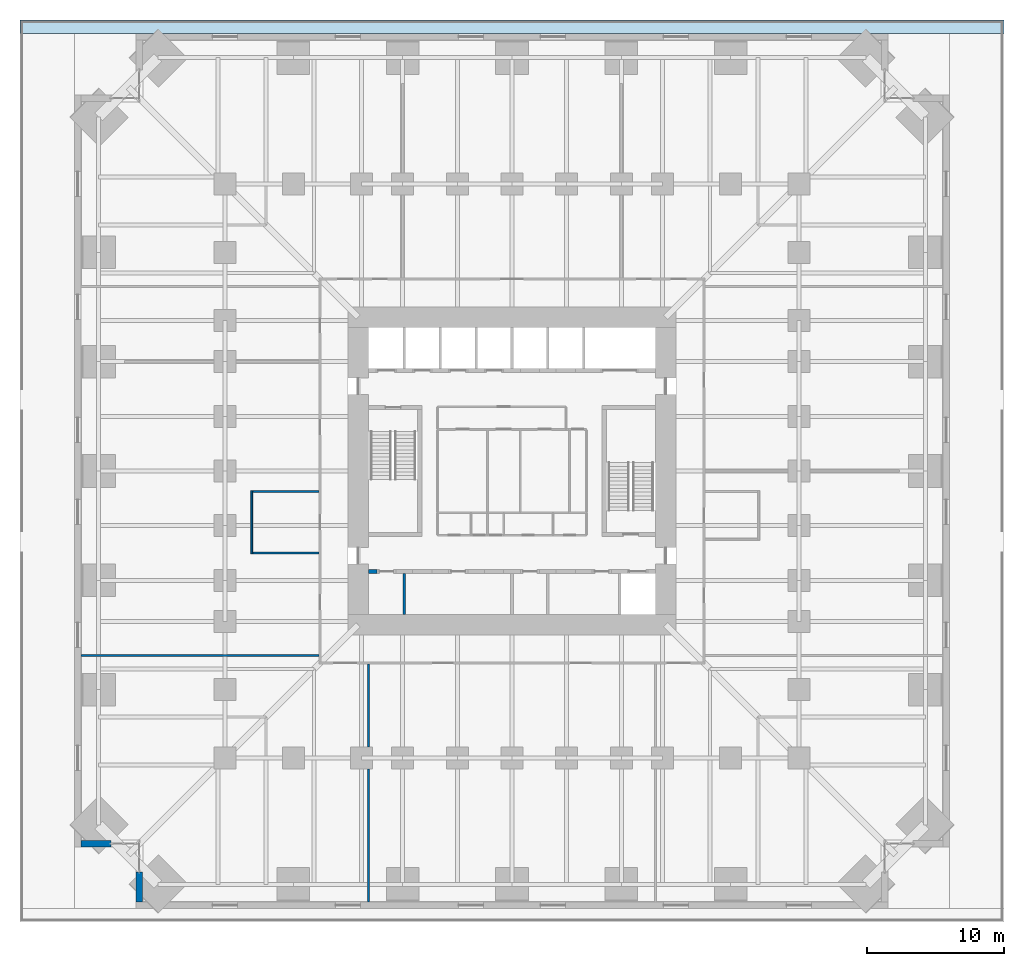
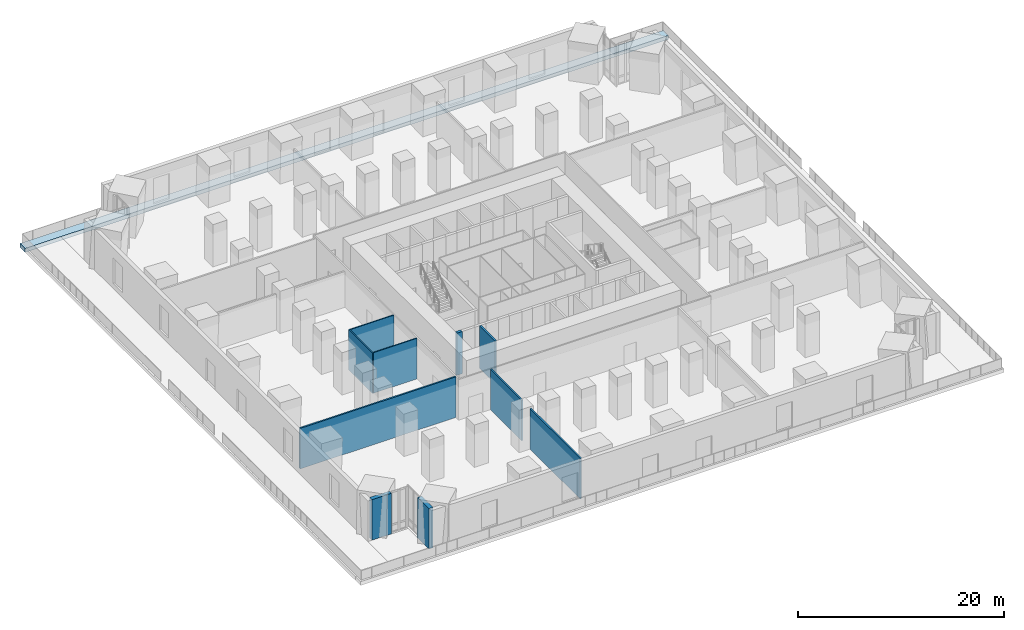
# One storey, part 19 of 26: 10 walls, 1 slab.
"""IFC4 building model written with IfcOpenShell, lengths in metres."""

from ifc_helpers import new_model, si_unit, direction, frame, frame_2d, origin, place, context, subcontext, project, spatial, polyline, rectangle, outline, extrude, material, layer, layer_set, type_object, element, save


model = new_model("IFC4")

# Units and contexts
model_context = context("Model", 3, precision=1e-05, world=origin(), true_north=direction((0.0, 1.0)))
body_context = subcontext(model_context, "Body", "Model", "MODEL_VIEW")
ifc_project = project(units=[si_unit("LENGTHUNIT", "METRE"), si_unit("AREAUNIT", "SQUARE_METRE"), si_unit("VOLUMEUNIT", "CUBIC_METRE"), si_unit("PLANEANGLEUNIT", "RADIAN"), si_unit("MASSUNIT", "GRAM", prefix="KILO")], contexts=[model_context])

# Site, building, storey
site_placement = place(None, origin())
site = spatial("IfcSite", under=ifc_project, at=site_placement, CompositionType="ELEMENT")
building_placement = place(site_placement, origin())
building = spatial("IfcBuilding", under=site, at=building_placement, Name="Peilmerk Tower", CompositionType="ELEMENT")
storey_placement = place(building_placement, frame((0.0, 0.0, 16.0)))
storey = spatial("IfcBuildingStorey", under=building, at=storey_placement, Name="L03", CompositionType="ELEMENT", Elevation=16.0)

# Slab
ifc_material_1 = material(Name="Concrete C35/45", Category="concrete")
ifc_layer_1 = layer(ifc_material_1, 0.449951171875)
ifc_layer_set_1 = layer_set([ifc_layer_1], Name="Concrete C35/45")
slab_type = type_object("IfcSlabType", Name="TS450 450 terrace roof slab", PredefinedType="ROOF", material=ifc_layer_set_1)
slab_placement = place(storey_placement, frame((0.0, 0.0, -0.449951171875)))
element("IfcSlab", 1, at=slab_placement, inside=storey, type_object=slab_type, Name="Terrace slab L03 N", PredefinedType="ROOF", context=body_context, shape_type="SweptSolid", body=[
    extrude(outline(polyline([(36.0, 33.0), (-36.0, 33.0), (-36.0, 32.0), (36.0, 32.0), (36.0, 33.0)])), origin(), (0.0, 0.0, 1.0), 0.449951171875),
])

# Walls
ifc_material_2 = material(Name="Precast concrete C45/55, board-marked finish", Category="concrete")
ifc_layer_2 = layer(ifc_material_2, 0.449951171875)
ifc_layer_set_2 = layer_set([ifc_layer_2], Name="Precast concrete C45/55, board-marked finish")
wall_type_1 = type_object("IfcWallType", Name="EW1 450 precast concrete facade wall, board-marked", PredefinedType="SOLIDWALL", material=ifc_layer_set_2)
for number, where, z_axis, x_axis, name in (
    (2, (-27.27490234375, -29.353759765625, 0.0), (0.0, 0.0, 1.0), (0.0, -1.0, 0.0), "Facade wall SWA L03"),
    (3, (-29.353759765625, -27.27490234375, 0.0), (0.0, 0.0, 1.0), (-1.0, 0.0, 0.0), "Facade wall SWB L03"),
):
    element("IfcWall", number, at=place(storey_placement, frame(where, z_axis=z_axis, x_axis=x_axis)), inside=storey, type_object=wall_type_1, Name=name, PredefinedType="SOLIDWALL", context=body_context, shape_type="SweptSolid", body=[
        extrude(rectangle(XDim=2.1962890625, YDim=0.449951171875, at=frame_2d((1.09814453125, 0.0))), origin(), (0.0, 0.0, 1.0), 4.800048828125),
    ])
ifc_material_3 = material(Name="Plasterboard on steel studs, double boarded with mineral wool", Category="steel")
ifc_layer_3 = layer(ifc_material_3, 0.125)
ifc_layer_set_3 = layer_set([ifc_layer_3], Name="Plasterboard on steel studs, double boarded with mineral wool")
wall_type_2 = type_object("IfcWallType", Name="IW7 125 acoustic partition, EI 30", PredefinedType="PARTITIONING", material=ifc_layer_set_3)
wall_1_placement = place(storey_placement, frame((-19.050048828125, -6.0625, 0.0), z_axis=(0.0, 0.0, 1.0), x_axis=(0.0, 1.0, 0.0)))
element("IfcWall", 4, at=wall_1_placement, inside=storey, type_object=wall_type_2, Name="Acoustic partition Meeting room L03", PredefinedType="PARTITIONING", context=body_context, shape_type="SweptSolid", body=[
    extrude(rectangle(XDim=4.625, YDim=0.125, at=frame_2d((2.3125, 0.0))), origin(), (0.0, 0.0, 1.0), 4.800048828125),
])
for number, where, z_axis, x_axis, name in (
    (5, (-14.125, -6.0, 0.0), (0.0, 0.0, 1.0), (-1.0, 0.0, 0.0), "Acoustic partition Meeting room L03"),
    (6, (-14.125, -1.5, 0.0), (0.0, 0.0, 1.0), (-1.0, 0.0, 0.0), "Acoustic partition Meeting room L03"),
):
    element("IfcWall", number, at=place(storey_placement, frame(where, z_axis=z_axis, x_axis=x_axis)), inside=storey, type_object=wall_type_2, Name=name, PredefinedType="PARTITIONING", context=body_context, shape_type="SweptSolid", body=[
        extrude(rectangle(XDim=4.862548828125, YDim=0.125, at=frame_2d((2.43115234375, 0.0))), origin(), (0.0, 0.0, 1.0), 4.800048828125),
    ])
ifc_material_4 = material(Name="Calcium silicate block", Category="masonry")
ifc_layer_4 = layer(ifc_material_4, 0.175048828125)
ifc_layer_set_4 = layer_set([ifc_layer_4], Name="Calcium silicate block")
wall_type_3 = type_object("IfcWallType", Name="IW8 175 tenant separating wall, EI 60", PredefinedType="PARTITIONING", material=ifc_layer_set_4)
wall_2_placement = place(storey_placement, frame((-14.125, -13.5, 0.0), z_axis=(0.0, 0.0, 1.0), x_axis=(-1.0, 0.0, 0.0)))
element("IfcWall", 7, at=wall_2_placement, inside=storey, type_object=wall_type_3, Name="Tenant separating wall SW L03", PredefinedType="PARTITIONING", context=body_context, shape_type="SweptSolid", body=[
    extrude(rectangle(XDim=17.425048828125, YDim=0.175048828125, at=frame_2d((8.71240234375, 0.0))), origin(), (0.0, 0.0, 1.0), 4.800048828125),
])
wall_3_placement = place(storey_placement, frame((-10.5, -14.125, 0.0), z_axis=(0.0, 0.0, 1.0), x_axis=(0.0, -1.0, 0.0)))
element("IfcWall", 8, at=wall_3_placement, inside=storey, type_object=wall_type_3, Name="Tenant separating wall S1 L03", PredefinedType="PARTITIONING", context=body_context, shape_type="SweptSolid", body=[
    extrude(rectangle(XDim=6.074951171875, YDim=0.175048828125, at=frame_2d((3.03759765625, 0.0))), origin(), (0.0, 0.0, 1.0), 4.800048828125),
])
wall_4_placement = place(storey_placement, frame((-10.5, -21.800048828125, 0.0), z_axis=(0.0, 0.0, 1.0), x_axis=(0.0, -1.0, 0.0)))
element("IfcWall", 9, at=wall_4_placement, inside=storey, type_object=wall_type_3, Name="Tenant separating wall S1b L03", PredefinedType="PARTITIONING", context=body_context, shape_type="SweptSolid", body=[
    extrude(rectangle(XDim=9.75, YDim=0.175048828125, at=frame_2d((4.875, 0.0))), origin(), (0.0, 0.0, 1.0), 4.800048828125),
])
ifc_layer_5 = layer(ifc_material_4, 0.199951171875)
ifc_layer_set_5 = layer_set([ifc_layer_5], Name="Calcium silicate block")
wall_type_4 = type_object("IfcWallType", Name="SH1 200 shaft dividing wall, EI 120", PredefinedType="PARTITIONING", material=ifc_layer_set_5)
wall_5_placement = place(storey_placement, frame((-7.875, -10.5, 0.0), z_axis=(0.0, 0.0, 1.0), x_axis=(0.0, 1.0, 0.0)))
element("IfcWall", 10, at=wall_5_placement, inside=storey, type_object=wall_type_4, Name="Shaft wall S C4 L03", PredefinedType="PARTITIONING", context=body_context, shape_type="SweptSolid", body=[
    extrude(rectangle(XDim=3.0, YDim=0.199951171875, at=frame_2d((1.5, 0.0))), origin(), (0.0, 0.0, 1.0), 5.0),
])
ifc_material_5 = material(Name="Concrete C55/67", Category="concrete")
ifc_layer_6 = layer(ifc_material_5, 0.300048828125)
ifc_layer_set_6 = layer_set([ifc_layer_6], Name="Concrete C55/67")
wall_type_5 = type_object("IfcWallType", Name="SW2 300 lift bank pier", PredefinedType="SHEAR", material=ifc_layer_set_6)
wall_6_placement = place(storey_placement, frame((-10.5, -7.35009765625, 0.0), z_axis=(0.0, 0.0, 1.0), x_axis=(1.0, 0.0, 0.0)))
element("IfcWall", 11, at=wall_6_placement, inside=storey, type_object=wall_type_5, Name="Lift bank pier S L03", PredefinedType="SHEAR", context=body_context, shape_type="SweptSolid", body=[
    extrude(rectangle(XDim=0.612548828125, YDim=0.300048828125, at=frame_2d((0.30615234375, 0.0))), origin(), (0.0, 0.0, 1.0), 5.0),
])

save(model, "model.ifc")
